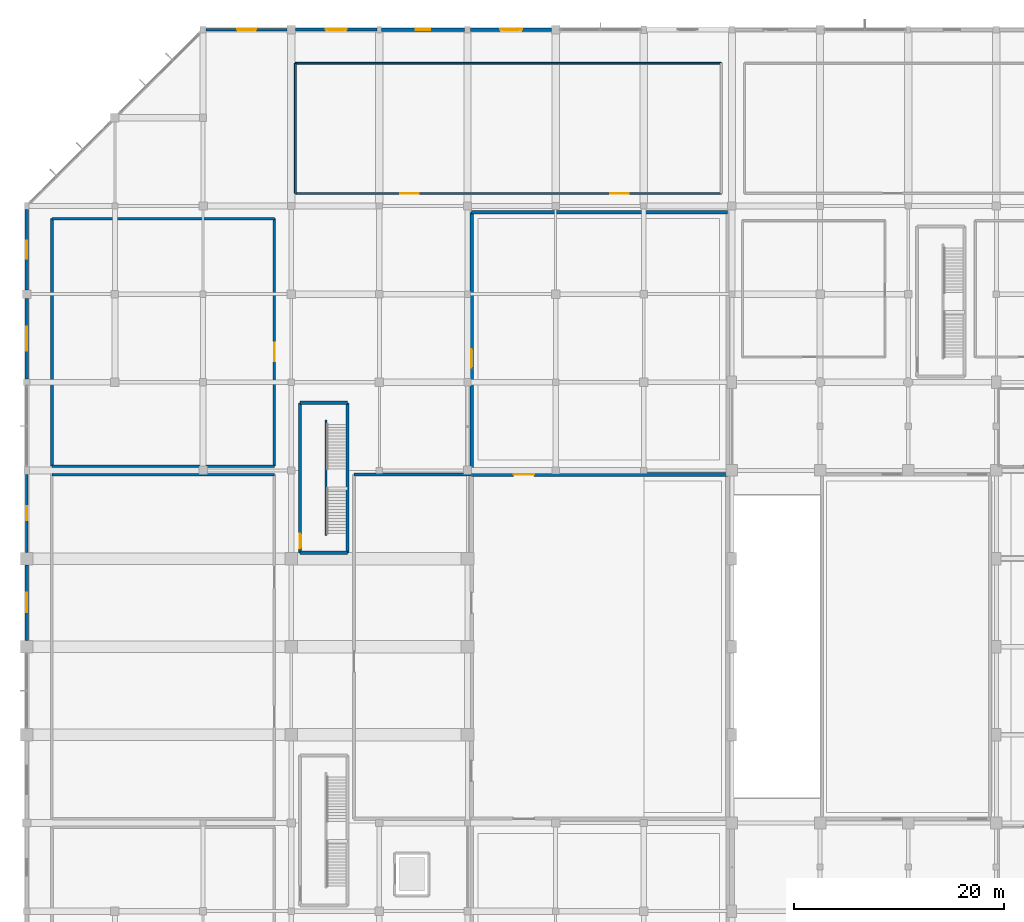
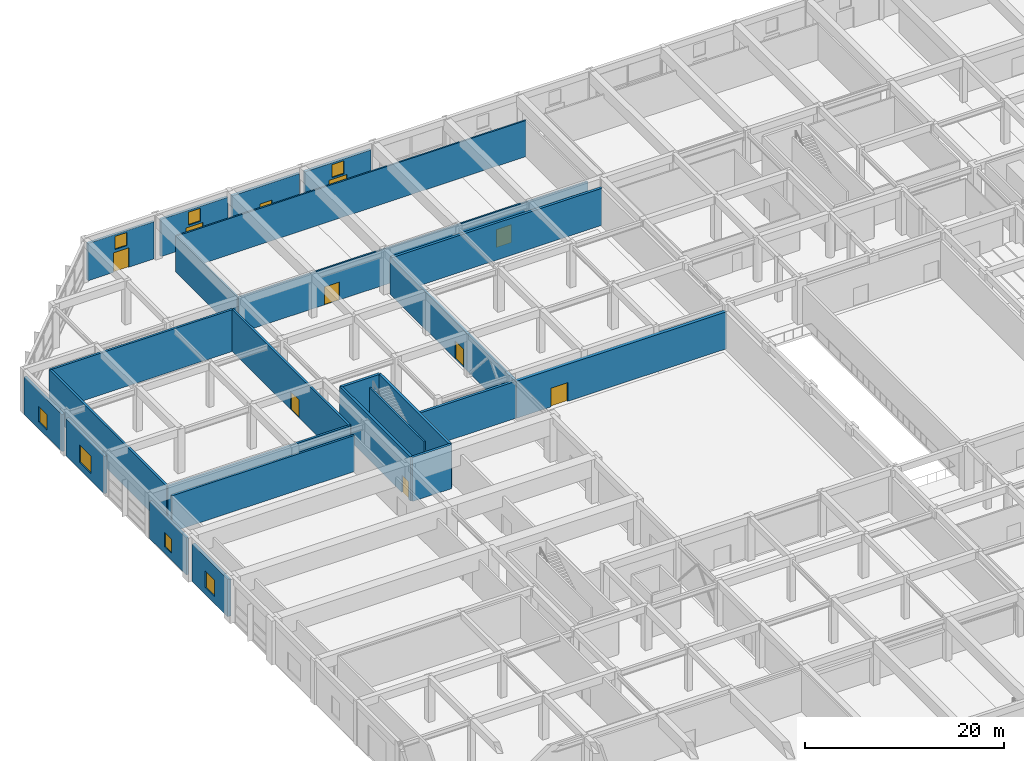
# One storey, part 45 of 62: 25 walls, 9 doors, 8 windows, 17 openings.
"""IFC4 building model written with IfcOpenShell, lengths in metres."""

from ifc_helpers import new_model, si_unit, direction, frame, frame_2d, origin, place, context, subcontext, project, spatial, rectangle, extrude, material, layer, layer_set, type_object, element, fill, save


model = new_model("IFC4")

# Units and contexts
model_context = context("Model", 3, precision=1e-05, world=origin(), true_north=direction((0.0, 1.0)))
body_context = subcontext(model_context, "Body", "Model", "MODEL_VIEW")
ifc_project = project(units=[si_unit("LENGTHUNIT", "METRE"), si_unit("AREAUNIT", "SQUARE_METRE"), si_unit("VOLUMEUNIT", "CUBIC_METRE"), si_unit("PLANEANGLEUNIT", "RADIAN"), si_unit("MASSUNIT", "GRAM", prefix="KILO")], contexts=[model_context])

# Site, building, storey
site_placement = place(None, origin())
site = spatial("IfcSite", under=ifc_project, at=site_placement, CompositionType="ELEMENT")
building_placement = place(site_placement, origin())
building = spatial("IfcBuilding", under=site, at=building_placement, Name="Xuanlan Plaza Opera House", CompositionType="ELEMENT")
storey_placement = place(building_placement, origin())
storey = spatial("IfcBuildingStorey", under=building, at=storey_placement, Name="L00", CompositionType="ELEMENT", Elevation=0.0)

# Wall, opening, window
ifc_material_1 = material(Name="Anodised Aluminium 6063-T6 and Rockwool Cladding", Category="aluminium")
ifc_layer_1 = layer(ifc_material_1, 0.360107421875)
ifc_layer_set_1 = layer_set([ifc_layer_1], Name="Anodised Aluminium 6063-T6 and Rockwool Cladding")
wall_type_1 = type_object("IfcWallType", Name="ENV-WL-EW-01", PredefinedType="STANDARD", material=ifc_layer_set_1)
wall_1_placement = place(storey_placement, frame((0.0, 66.60009765625, 0.0), z_axis=(0.0, 0.0, 1.0), x_axis=(0.0, -1.0, 0.0)))
wall_1 = element("IfcWall", 1, at=wall_1_placement, inside=storey, type_object=wall_type_1, Name="Exterior Wall L00-053", PredefinedType="STANDARD", context=body_context, shape_type="SweptSolid", body=[
    extrude(rectangle(XDim=7.2001953125, YDim=0.360107421875, at=frame_2d((3.60009765625, 0.0))), origin(), (0.0, 0.0, 1.0), 4.580078125),
])
opening_1_placement = place(wall_1_placement, frame((2.675048828125, 0.0, 0.85009765625)))
opening_1 = element("IfcOpeningElement", 2, at=opening_1_placement, cuts=wall_1, Name="Opening WN-17", PredefinedType="OPENING", context=body_context, shape_type="SweptSolid", body=[
    extrude(rectangle(XDim=1.85009765625, YDim=2.050048828125, at=frame_2d((0.925048828125, 1.02490234375))), frame((0.0, 0.18994140625, 0.0), z_axis=(0.0, -1.0, 0.0), x_axis=(1.0, 0.0, 0.0)), (0.0, 0.0, 1.0), 0.380126953125),
])
ifc_material_2 = material(Name="Anodised Aluminium 6063-T6 and Low-E Glass", Category="aluminium")
window_type_1 = type_object("IfcWindowType", Name="ENV-WN-WN-17", PartitioningType="DOUBLE_PANEL_VERTICAL", PredefinedType="WINDOW", material=ifc_material_2)
window_1_placement = place(opening_1_placement, origin())
window_1 = element("IfcWindow", 3, at=window_1_placement, inside=storey, type_object=window_type_1, Name="Facade Window L00-053", OverallHeight=2.050048828125, OverallWidth=1.85009765625, PartitioningType="DOUBLE_PANEL_VERTICAL", PredefinedType="WINDOW", context=body_context, shape_type="SweptSolid", body=[
    extrude(rectangle(XDim=1.85009765625, YDim=2.050048828125, at=frame_2d((0.925048828125, 1.02490234375))), frame((0.0, 0.030029296875, 0.0), z_axis=(0.0, -1.0, 0.0), x_axis=(1.0, 0.0, 0.0)), (0.0, 0.0, 1.0), 0.06005859375),
])
fill(opening_1, window_1)

# Wall, openings, door, window
ifc_layer_2 = layer(ifc_material_1, 0.320068359375)
ifc_layer_set_2 = layer_set([ifc_layer_2], Name="Anodised Aluminium 6063-T6 and Rockwool Cladding")
wall_type_2 = type_object("IfcWallType", Name="ENV-WL-EW-03", PredefinedType="STANDARD", material=ifc_layer_set_2)
wall_2_placement = place(storey_placement, frame((50.0, 117.60009765625, 0.0), z_axis=(0.0, 0.0, 1.0), x_axis=(-1.0, 0.0, 0.0)))
wall_2 = element("IfcWall", 4, at=wall_2_placement, inside=storey, type_object=wall_type_2, Name="Exterior Wall L00-043", PredefinedType="STANDARD", context=body_context, shape_type="SweptSolid", body=[
    extrude(rectangle(XDim=7.699951171875, YDim=0.320068359375, at=frame_2d((3.85009765625, 0.0))), origin(), (0.0, 0.0, 1.0), 4.580078125),
])
opening_2_placement = place(wall_2_placement, frame((2.800048828125, 0.0, 0.0)))
opening_2 = element("IfcOpeningElement", 5, at=opening_2_placement, cuts=wall_2, Name="Opening ED-06", PredefinedType="OPENING", context=body_context, shape_type="SweptSolid", body=[
    extrude(rectangle(XDim=2.10009765625, YDim=2.550048828125, at=frame_2d((1.050048828125, 1.27490234375))), frame((0.0, 0.169921875, 0.0), z_axis=(0.0, -1.0, 0.0), x_axis=(1.0, 0.0, 0.0)), (0.0, 0.0, 1.0), 0.340087890625),
])
opening_3_placement = place(wall_2_placement, frame((3.14990234375, 0.0, 2.75)))
opening_3 = element("IfcOpeningElement", 6, at=opening_3_placement, cuts=wall_2, Name="Opening WN-08", PredefinedType="OPENING", context=body_context, shape_type="SweptSolid", body=[
    extrude(rectangle(XDim=1.39990234375, YDim=1.60009765625, at=frame_2d((0.699951171875, 0.800048828125))), frame((0.0, 0.169921875, 0.0), z_axis=(0.0, -1.0, 0.0), x_axis=(1.0, 0.0, 0.0)), (0.0, 0.0, 1.0), 0.340087890625),
])
ifc_material_3 = material(Name="Anodised Aluminium 6063-T6 and Laminated Safety Glass", Category="aluminium")
door_type_1 = type_object("IfcDoorType", Name="ENV-DR-ED-06", OperationType="DOUBLE_DOOR_SINGLE_SWING", PredefinedType="DOOR", material=ifc_material_3)
door_1_placement = place(opening_2_placement, frame((2.10009765625, 0.0, 0.0), z_axis=(0.0, 0.0, 1.0), x_axis=(-1.0, 0.0, 0.0)))
door_1 = element("IfcDoor", 7, at=door_1_placement, inside=storey, type_object=door_type_1, Name="Plaza Pedestrian Exit Door 23", OperationType="DOUBLE_DOOR_SINGLE_SWING", OverallHeight=2.550048828125, OverallWidth=2.10009765625, PredefinedType="DOOR", context=body_context, shape_type="SweptSolid", body=[
    extrude(rectangle(XDim=2.10009765625, YDim=2.550048828125, at=frame_2d((1.050048828125, 1.27490234375))), frame((0.0, 0.02490234375, 0.0), z_axis=(0.0, -1.0, 0.0), x_axis=(1.0, 0.0, 0.0)), (0.0, 0.0, 1.0), 0.050048828125),
])
fill(opening_2, door_1)
window_type_2 = type_object("IfcWindowType", Name="ENV-WN-WN-08", PartitioningType="SINGLE_PANEL", PredefinedType="WINDOW", material=ifc_material_2)
window_2_placement = place(opening_3_placement, origin())
window_2 = element("IfcWindow", 8, at=window_2_placement, inside=storey, type_object=window_type_2, Name="Entrance Portal Transom Clerestory 23", OverallHeight=1.60009765625, OverallWidth=1.39990234375, PartitioningType="SINGLE_PANEL", PredefinedType="WINDOW", context=body_context, shape_type="SweptSolid", body=[
    extrude(rectangle(XDim=1.39990234375, YDim=1.60009765625, at=frame_2d((0.699951171875, 0.800048828125))), frame((0.0, 0.030029296875, 0.0), z_axis=(0.0, -1.0, 0.0), x_axis=(1.0, 0.0, 0.0)), (0.0, 0.0, 1.0), 0.06005859375),
])
fill(opening_3, window_2)

# Wall, opening, window
wall_3_placement = place(storey_placement, frame((0.0, 100.47509765625, 0.0), z_axis=(0.0, 0.0, 1.0), x_axis=(0.0, -1.0, 0.0)))
wall_3 = element("IfcWall", 9, at=wall_3_placement, inside=storey, type_object=wall_type_2, Name="Exterior Wall L00-049", PredefinedType="STANDARD", context=body_context, shape_type="SweptSolid", body=[
    extrude(rectangle(XDim=7.675048828125, YDim=0.320068359375, at=frame_2d((3.83740234375, 0.0))), origin(), (0.0, 0.0, 1.0), 4.580078125),
])
opening_4_placement = place(wall_3_placement, frame((2.987060546875, 0.0, 0.85009765625)))
opening_4 = element("IfcOpeningElement", 10, at=opening_4_placement, cuts=wall_3, Name="Opening WN-13", PredefinedType="OPENING", context=body_context, shape_type="SweptSolid", body=[
    extrude(rectangle(XDim=1.699951171875, YDim=1.89990234375, at=frame_2d((0.85009765625, 0.949951171875))), frame((0.0, 0.169921875, 0.0), z_axis=(0.0, -1.0, 0.0), x_axis=(1.0, 0.0, 0.0)), (0.0, 0.0, 1.0), 0.340087890625),
])
window_type_3 = type_object("IfcWindowType", Name="ENV-WN-WN-13", PartitioningType="DOUBLE_PANEL_VERTICAL", PredefinedType="WINDOW", material=ifc_material_2)
window_3_placement = place(opening_4_placement, origin())
window_3 = element("IfcWindow", 11, at=window_3_placement, inside=storey, type_object=window_type_3, Name="Facade Window L00-049", OverallHeight=1.89990234375, OverallWidth=1.699951171875, PartitioningType="DOUBLE_PANEL_VERTICAL", PredefinedType="WINDOW", context=body_context, shape_type="SweptSolid", body=[
    extrude(rectangle(XDim=1.699951171875, YDim=1.89990234375, at=frame_2d((0.85009765625, 0.949951171875))), frame((0.0, 0.030029296875, 0.0), z_axis=(0.0, -1.0, 0.0), x_axis=(1.0, 0.0, 0.0)), (0.0, 0.0, 1.0), 0.06005859375),
])
fill(opening_4, window_3)

ifc_layer_3 = layer(ifc_material_1, 0.31005859375)
ifc_layer_set_3 = layer_set([ifc_layer_3], Name="Anodised Aluminium 6063-T6 and Rockwool Cladding")
wall_type_3 = type_object("IfcWallType", Name="ENV-WL-EW-04", PredefinedType="STANDARD", material=ifc_layer_set_3)
wall_4_placement = place(storey_placement, frame((41.699951171875, 117.60009765625, 0.0), z_axis=(0.0, 0.0, 1.0), x_axis=(-1.0, 0.0, 0.0)))
wall_4 = element("IfcWall", 12, at=wall_4_placement, inside=storey, type_object=wall_type_3, Name="Exterior Wall L00-044", PredefinedType="STANDARD", context=body_context, shape_type="SweptSolid", body=[
    extrude(rectangle(XDim=7.875, YDim=0.31005859375, at=frame_2d((3.9375, 0.0))), origin(), (0.0, 0.0, 1.0), 4.580078125),
])
opening_5_placement = place(wall_4_placement, frame((3.237060546875, 0.0, 0.85009765625)))
opening_5 = element("IfcOpeningElement", 13, at=opening_5_placement, cuts=wall_4, Name="Opening WN-08", PredefinedType="OPENING", context=body_context, shape_type="SweptSolid", body=[
    extrude(rectangle(XDim=1.39990234375, YDim=1.60009765625, at=frame_2d((0.699951171875, 0.800048828125))), frame((0.0, 0.1650390625, 0.0), z_axis=(0.0, -1.0, 0.0), x_axis=(1.0, 0.0, 0.0)), (0.0, 0.0, 1.0), 0.330078125),
])
window_4_placement = place(opening_5_placement, origin())
window_4 = element("IfcWindow", 14, at=window_4_placement, inside=storey, type_object=window_type_2, Name="Facade Window L00-044", OverallHeight=1.60009765625, OverallWidth=1.39990234375, PartitioningType="SINGLE_PANEL", PredefinedType="WINDOW", context=body_context, shape_type="SweptSolid", body=[
    extrude(rectangle(XDim=1.39990234375, YDim=1.60009765625, at=frame_2d((0.699951171875, 0.800048828125))), frame((0.0, 0.030029296875, 0.0), z_axis=(0.0, -1.0, 0.0), x_axis=(1.0, 0.0, 0.0)), (0.0, 0.0, 1.0), 0.06005859375),
])
fill(opening_5, window_4)

wall_5_placement = place(storey_placement, frame((0.0, 92.0, 0.0), z_axis=(0.0, 0.0, 1.0), x_axis=(0.0, -1.0, 0.0)))
wall_5 = element("IfcWall", 15, at=wall_5_placement, inside=storey, type_object=wall_type_3, Name="Exterior Wall L00-050", PredefinedType="STANDARD", context=body_context, shape_type="SweptSolid", body=[
    extrude(rectangle(XDim=7.699951171875, YDim=0.31005859375, at=frame_2d((3.85009765625, 0.0))), origin(), (0.0, 0.0, 1.0), 4.580078125),
])
opening_6_placement = place(wall_5_placement, frame((2.699951171875, 0.0, 0.85009765625)))
opening_6 = element("IfcOpeningElement", 16, at=opening_6_placement, cuts=wall_5, Name="Opening WN-14", PredefinedType="OPENING", context=body_context, shape_type="SweptSolid", body=[
    extrude(rectangle(XDim=2.300048828125, YDim=2.14990234375, at=frame_2d((1.14990234375, 1.074951171875))), frame((0.0, 0.1650390625, 0.0), z_axis=(0.0, -1.0, 0.0), x_axis=(1.0, 0.0, 0.0)), (0.0, 0.0, 1.0), 0.330078125),
])
window_type_4 = type_object("IfcWindowType", Name="ENV-WN-WN-14", PartitioningType="DOUBLE_PANEL_VERTICAL", PredefinedType="WINDOW", material=ifc_material_2)
window_5_placement = place(opening_6_placement, origin())
window_5 = element("IfcWindow", 17, at=window_5_placement, inside=storey, type_object=window_type_4, Name="Facade Window L00-050", OverallHeight=2.14990234375, OverallWidth=2.300048828125, PartitioningType="DOUBLE_PANEL_VERTICAL", PredefinedType="WINDOW", context=body_context, shape_type="SweptSolid", body=[
    extrude(rectangle(XDim=2.300048828125, YDim=2.14990234375, at=frame_2d((1.14990234375, 1.074951171875))), frame((0.0, 0.030029296875, 0.0), z_axis=(0.0, -1.0, 0.0), x_axis=(1.0, 0.0, 0.0)), (0.0, 0.0, 1.0), 0.06005859375),
])
fill(opening_6, window_5)

# Wall, openings, door, window
ifc_layer_4 = layer(ifc_material_1, 0.2900390625)
ifc_layer_set_4 = layer_set([ifc_layer_4], Name="Anodised Aluminium 6063-T6 and Rockwool Cladding")
wall_type_4 = type_object("IfcWallType", Name="ENV-WL-EW-05", PredefinedType="STANDARD", material=ifc_layer_set_4)
wall_6_placement = place(storey_placement, frame((33.375, 117.60009765625, 0.0), z_axis=(0.0, 0.0, 1.0), x_axis=(-1.0, 0.0, 0.0)))
wall_6 = element("IfcWall", 18, at=wall_6_placement, inside=storey, type_object=wall_type_4, Name="Exterior Wall L00-045", PredefinedType="STANDARD", context=body_context, shape_type="SweptSolid", body=[
    extrude(rectangle(XDim=7.77490234375, YDim=0.2900390625, at=frame_2d((3.887451171875, 0.0))), origin(), (0.0, 0.0, 1.0), 4.580078125),
])
opening_7_placement = place(wall_6_placement, frame((2.886962890625, 0.0, 0.0)))
opening_7 = element("IfcOpeningElement", 19, at=opening_7_placement, cuts=wall_6, Name="Opening ED-01", PredefinedType="OPENING", context=body_context, shape_type="SweptSolid", body=[
    extrude(rectangle(XDim=2.0, YDim=2.5, at=frame_2d((1.0, 1.25))), frame((0.0, 0.155029296875, 0.0), z_axis=(0.0, -1.0, 0.0), x_axis=(1.0, 0.0, 0.0)), (0.0, 0.0, 1.0), 0.31005859375),
])
opening_8_placement = place(wall_6_placement, frame((3.18701171875, 0.0, 2.75)))
opening_8 = element("IfcOpeningElement", 20, at=opening_8_placement, cuts=wall_6, Name="Opening WN-08", PredefinedType="OPENING", context=body_context, shape_type="SweptSolid", body=[
    extrude(rectangle(XDim=1.39990234375, YDim=1.60009765625, at=frame_2d((0.699951171875, 0.800048828125))), frame((0.0, 0.155029296875, 0.0), z_axis=(0.0, -1.0, 0.0), x_axis=(1.0, 0.0, 0.0)), (0.0, 0.0, 1.0), 0.31005859375),
])
door_type_2 = type_object("IfcDoorType", Name="ENV-DR-ED-01", OperationType="DOUBLE_DOOR_SINGLE_SWING", PredefinedType="DOOR", material=ifc_material_3)
door_2_placement = place(opening_7_placement, frame((2.0, 0.0, 0.0), z_axis=(0.0, 0.0, 1.0), x_axis=(-1.0, 0.0, 0.0)))
door_2 = element("IfcDoor", 21, at=door_2_placement, inside=storey, type_object=door_type_2, Name="Plaza Pedestrian Exit Door 24", OperationType="DOUBLE_DOOR_SINGLE_SWING", OverallHeight=2.5, OverallWidth=2.0, PredefinedType="DOOR", context=body_context, shape_type="SweptSolid", body=[
    extrude(rectangle(XDim=2.0, YDim=2.5, at=frame_2d((1.0, 1.25))), frame((0.0, 0.02490234375, 0.0), z_axis=(0.0, -1.0, 0.0), x_axis=(1.0, 0.0, 0.0)), (0.0, 0.0, 1.0), 0.050048828125),
])
fill(opening_7, door_2)
window_6_placement = place(opening_8_placement, origin())
window_6 = element("IfcWindow", 22, at=window_6_placement, inside=storey, type_object=window_type_2, Name="Entrance Portal Transom Clerestory 24", OverallHeight=1.60009765625, OverallWidth=1.39990234375, PartitioningType="SINGLE_PANEL", PredefinedType="WINDOW", context=body_context, shape_type="SweptSolid", body=[
    extrude(rectangle(XDim=1.39990234375, YDim=1.60009765625, at=frame_2d((0.699951171875, 0.800048828125))), frame((0.0, 0.030029296875, 0.0), z_axis=(0.0, -1.0, 0.0), x_axis=(1.0, 0.0, 0.0)), (0.0, 0.0, 1.0), 0.06005859375),
])
fill(opening_8, window_6)

ifc_layer_5 = layer(ifc_material_1, 0.27001953125)
ifc_layer_set_5 = layer_set([ifc_layer_5], Name="Anodised Aluminium 6063-T6 and Rockwool Cladding")
wall_type_5 = type_object("IfcWallType", Name="ENV-WL-EW-06", PredefinedType="STANDARD", material=ifc_layer_set_5)
wall_7_placement = place(storey_placement, frame((24.800048828125, 117.60009765625, 0.0), z_axis=(0.0, 0.0, 1.0), x_axis=(-1.0, 0.0, 0.0)))
wall_7 = element("IfcWall", 23, at=wall_7_placement, inside=storey, type_object=wall_type_5, Name="Exterior Wall L00-046", PredefinedType="STANDARD", context=body_context, shape_type="SweptSolid", body=[
    extrude(rectangle(XDim=7.699951171875, YDim=0.27001953125, at=frame_2d((3.85009765625, 0.0))), origin(), (0.0, 0.0, 1.0), 4.580078125),
])
opening_9_placement = place(wall_7_placement, frame((2.949951171875, 0.0, 0.0)))
opening_9 = element("IfcOpeningElement", 24, at=opening_9_placement, cuts=wall_7, Name="Opening ED-02", PredefinedType="OPENING", context=body_context, shape_type="SweptSolid", body=[
    extrude(rectangle(XDim=1.800048828125, YDim=2.39990234375, at=frame_2d((0.89990234375, 1.199951171875))), frame((0.0, 0.14501953125, 0.0), z_axis=(0.0, -1.0, 0.0), x_axis=(1.0, 0.0, 0.0)), (0.0, 0.0, 1.0), 0.2900390625),
])
opening_10_placement = place(wall_7_placement, frame((3.14990234375, 0.0, 2.75)))
opening_10 = element("IfcOpeningElement", 25, at=opening_10_placement, cuts=wall_7, Name="Opening WN-08", PredefinedType="OPENING", context=body_context, shape_type="SweptSolid", body=[
    extrude(rectangle(XDim=1.39990234375, YDim=1.60009765625, at=frame_2d((0.699951171875, 0.800048828125))), frame((0.0, 0.14501953125, 0.0), z_axis=(0.0, -1.0, 0.0), x_axis=(1.0, 0.0, 0.0)), (0.0, 0.0, 1.0), 0.2900390625),
])
door_type_3 = type_object("IfcDoorType", Name="ENV-DR-ED-02", OperationType="DOUBLE_DOOR_SINGLE_SWING", PredefinedType="DOOR", material=ifc_material_3)
door_3_placement = place(opening_9_placement, frame((1.800048828125, 0.0, 0.0), z_axis=(0.0, 0.0, 1.0), x_axis=(-1.0, 0.0, 0.0)))
door_3 = element("IfcDoor", 26, at=door_3_placement, inside=storey, type_object=door_type_3, Name="Plaza Pedestrian Exit Door 25", OperationType="DOUBLE_DOOR_SINGLE_SWING", OverallHeight=2.39990234375, OverallWidth=1.800048828125, PredefinedType="DOOR", context=body_context, shape_type="SweptSolid", body=[
    extrude(rectangle(XDim=1.800048828125, YDim=2.39990234375, at=frame_2d((0.89990234375, 1.199951171875))), frame((0.0, 0.02490234375, 0.0), z_axis=(0.0, -1.0, 0.0), x_axis=(1.0, 0.0, 0.0)), (0.0, 0.0, 1.0), 0.050048828125),
])
fill(opening_9, door_3)
window_7_placement = place(opening_10_placement, origin())
window_7 = element("IfcWindow", 27, at=window_7_placement, inside=storey, type_object=window_type_2, Name="Entrance Portal Transom Clerestory 25", OverallHeight=1.60009765625, OverallWidth=1.39990234375, PartitioningType="SINGLE_PANEL", PredefinedType="WINDOW", context=body_context, shape_type="SweptSolid", body=[
    extrude(rectangle(XDim=1.39990234375, YDim=1.60009765625, at=frame_2d((0.699951171875, 0.800048828125))), frame((0.0, 0.030029296875, 0.0), z_axis=(0.0, -1.0, 0.0), x_axis=(1.0, 0.0, 0.0)), (0.0, 0.0, 1.0), 0.06005859375),
])
fill(opening_10, window_7)

# Wall, opening, window
wall_8_placement = place(storey_placement, frame((0.0, 75.22509765625, 0.0), z_axis=(0.0, 0.0, 1.0), x_axis=(0.0, -1.0, 0.0)))
wall_8 = element("IfcWall", 28, at=wall_8_placement, inside=storey, type_object=wall_type_5, Name="Exterior Wall L00-052", PredefinedType="STANDARD", context=body_context, shape_type="SweptSolid", body=[
    extrude(rectangle(XDim=7.425048828125, YDim=0.27001953125, at=frame_2d((3.71240234375, 0.0))), origin(), (0.0, 0.0, 1.0), 4.580078125),
])
opening_11_placement = place(wall_8_placement, frame((3.037109375, 0.0, 0.85009765625)))
opening_11 = element("IfcOpeningElement", 29, at=opening_11_placement, cuts=wall_8, Name="Opening WN-16", PredefinedType="OPENING", context=body_context, shape_type="SweptSolid", body=[
    extrude(rectangle(XDim=1.35009765625, YDim=1.75, at=frame_2d((0.675048828125, 0.875))), frame((0.0, 0.14501953125, 0.0), z_axis=(0.0, -1.0, 0.0), x_axis=(1.0, 0.0, 0.0)), (0.0, 0.0, 1.0), 0.2900390625),
])
window_type_5 = type_object("IfcWindowType", Name="ENV-WN-WN-16", PartitioningType="SINGLE_PANEL", PredefinedType="WINDOW", material=ifc_material_2)
window_8_placement = place(opening_11_placement, origin())
window_8 = element("IfcWindow", 30, at=window_8_placement, inside=storey, type_object=window_type_5, Name="Facade Window L00-052", OverallHeight=1.75, OverallWidth=1.35009765625, PartitioningType="SINGLE_PANEL", PredefinedType="WINDOW", context=body_context, shape_type="SweptSolid", body=[
    extrude(rectangle(XDim=1.35009765625, YDim=1.75, at=frame_2d((0.675048828125, 0.875))), frame((0.0, 0.030029296875, 0.0), z_axis=(0.0, -1.0, 0.0), x_axis=(1.0, 0.0, 0.0)), (0.0, 0.0, 1.0), 0.06005859375),
])
fill(opening_11, window_8)

# Wall
ifc_material_4 = material(Name="Gypsum Board and Galvanised Steel Studs", Category="gypsum")
ifc_layer_6 = layer(ifc_material_4, 0.239990234375)
ifc_layer_set_6 = layer_set([ifc_layer_6], Name="Gypsum Board and Galvanised Steel Studs")
wall_type_6 = type_object("IfcWallType", Name="INT-WL-PW-01", PredefinedType="PARTITIONING", material=ifc_layer_set_6)
wall_9_placement = place(storey_placement, frame((2.39990234375, 75.199951171875, 0.0), z_axis=(0.0, 0.0, 1.0), x_axis=(1.0, 0.0, 0.0)))
element("IfcWall", 31, at=wall_9_placement, inside=storey, type_object=wall_type_6, Name="Scenery Workshop Wall North", PredefinedType="PARTITIONING", context=body_context, shape_type="SweptSolid", body=[
    extrude(rectangle(XDim=21.2001953125, YDim=0.239990234375, at=frame_2d((10.60009765625, 0.0))), origin(), (0.0, 0.0, 1.0), 4.43994140625),
])

# Wall, openings, doors
ifc_layer_7 = layer(ifc_material_4, 0.179931640625)
ifc_layer_set_7 = layer_set([ifc_layer_7], Name="Gypsum Board and Galvanised Steel Studs")
wall_type_7 = type_object("IfcWallType", Name="INT-WL-PW-02", PredefinedType="PARTITIONING", material=ifc_layer_set_7)
wall_10_placement = place(storey_placement, frame((25.60009765625, 102.0, 0.0), z_axis=(0.0, 0.0, 1.0), x_axis=(1.0, 0.0, 0.0)))
wall_10 = element("IfcWall", 32, at=wall_10_placement, inside=storey, type_object=wall_type_7, Name="Heavy Scenery Container Store Wall South", PredefinedType="PARTITIONING", context=body_context, shape_type="SweptSolid", body=[
    extrude(rectangle(XDim=40.599853515625, YDim=0.179931640625, at=frame_2d((20.2998046875, 0.0))), origin(), (0.0, 0.0, 1.0), 4.43994140625),
])
opening_12_placement = place(wall_10_placement, frame((10.0, 0.0, 0.0)))
opening_12 = element("IfcOpeningElement", 33, at=opening_12_placement, cuts=wall_10, Name="Opening FD-03", PredefinedType="OPENING", context=body_context, shape_type="SweptSolid", body=[
    extrude(rectangle(XDim=1.75, YDim=2.199951171875, at=frame_2d((0.875, 1.10009765625))), frame((0.0, 0.099853515625, 0.0), z_axis=(0.0, -1.0, 0.0), x_axis=(1.0, 0.0, 0.0)), (0.0, 0.0, 1.0), 0.199951171875),
])
opening_13_placement = place(wall_10_placement, frame((30.0, 0.0, 0.0)))
opening_13 = element("IfcOpeningElement", 34, at=opening_13_placement, cuts=wall_10, Name="Opening FD-03", PredefinedType="OPENING", context=body_context, shape_type="SweptSolid", body=[
    extrude(rectangle(XDim=1.75, YDim=2.199951171875, at=frame_2d((0.875, 1.10009765625))), frame((0.0, 0.099853515625, 0.0), z_axis=(0.0, -1.0, 0.0), x_axis=(1.0, 0.0, 0.0)), (0.0, 0.0, 1.0), 0.199951171875),
])
ifc_material_5 = material(Name="Galvanised Steel Q235B", Category="steel")
door_type_4 = type_object("IfcDoorType", Name="INT-DR-FD-03", OperationType="DOUBLE_DOOR_SINGLE_SWING", PredefinedType="DOOR", material=ifc_material_5)
door_4_placement = place(opening_12_placement, origin())
door_4 = element("IfcDoor", 35, at=door_4_placement, inside=storey, type_object=door_type_4, Name="Heavy Scenery Container Store Door 1", OperationType="DOUBLE_DOOR_SINGLE_SWING", OverallHeight=2.199951171875, OverallWidth=1.75, PredefinedType="DOOR", context=body_context, shape_type="SweptSolid", body=[
    extrude(rectangle(XDim=1.75, YDim=2.199951171875, at=frame_2d((0.875, 1.10009765625))), frame((0.0, 0.02490234375, 0.0), z_axis=(0.0, -1.0, 0.0), x_axis=(1.0, 0.0, 0.0)), (0.0, 0.0, 1.0), 0.050048828125),
])
fill(opening_12, door_4)
door_5_placement = place(opening_13_placement, origin())
door_5 = element("IfcDoor", 36, at=door_5_placement, inside=storey, type_object=door_type_4, Name="Heavy Scenery Container Store Door 2", OperationType="DOUBLE_DOOR_SINGLE_SWING", OverallHeight=2.199951171875, OverallWidth=1.75, PredefinedType="DOOR", context=body_context, shape_type="SweptSolid", body=[
    extrude(rectangle(XDim=1.75, YDim=2.199951171875, at=frame_2d((0.875, 1.10009765625))), frame((0.0, 0.02490234375, 0.0), z_axis=(0.0, -1.0, 0.0), x_axis=(1.0, 0.0, 0.0)), (0.0, 0.0, 1.0), 0.050048828125),
])
fill(opening_13, door_5)

# Walls
wall_11_placement = place(storey_placement, frame((25.60009765625, 114.39990234375, 0.0), z_axis=(0.0, 0.0, 1.0), x_axis=(1.0, 0.0, 0.0)))
element("IfcWall", 37, at=wall_11_placement, inside=storey, type_object=wall_type_7, Name="Heavy Scenery Container Store Wall North", PredefinedType="PARTITIONING", context=body_context, shape_type="SweptSolid", body=[
    extrude(rectangle(XDim=40.599853515625, YDim=0.179931640625, at=frame_2d((20.2998046875, 0.0))), origin(), (0.0, 0.0, 1.0), 4.43994140625),
])
wall_12_placement = place(storey_placement, frame((25.60009765625, 102.0, 0.0), z_axis=(0.0, 0.0, 1.0), x_axis=(0.0, 1.0, 0.0)))
element("IfcWall", 38, at=wall_12_placement, inside=storey, type_object=wall_type_7, Name="Heavy Scenery Container Store Wall West", PredefinedType="PARTITIONING", context=body_context, shape_type="SweptSolid", body=[
    extrude(rectangle(XDim=12.39990234375, YDim=0.179931640625, at=frame_2d((6.199951171875, 0.0))), origin(), (0.0, 0.0, 1.0), 4.43994140625),
])

# Wall, opening, door
ifc_material_6 = material(Name="Concrete C50", Category="concrete")
ifc_layer_8 = layer(ifc_material_6, 0.3798828125)
ifc_layer_set_8 = layer_set([ifc_layer_8], Name="Concrete C50")
wall_type_8 = type_object("IfcWallType", Name="INT-WL-SW-FW1", PredefinedType="SHEAR", material=ifc_layer_set_8)
wall_13_placement = place(storey_placement, frame((42.39990234375, 75.199951171875, 0.0), z_axis=(0.0, 0.0, 1.0), x_axis=(1.0, 0.0, 0.0)))
wall_13 = element("IfcWall", 39, at=wall_13_placement, inside=storey, type_object=wall_type_8, Name="Main Stage Wall North", PredefinedType="SHEAR", context=body_context, shape_type="SweptSolid", body=[
    extrude(rectangle(XDim=24.400146484375, YDim=0.3798828125, at=frame_2d((12.2001953125, 0.0))), origin(), (0.0, 0.0, 1.0), 4.550048828125),
])
opening_14_placement = place(wall_13_placement, frame((4.0, 0.0, 0.0)))
opening_14 = element("IfcOpeningElement", 40, at=opening_14_placement, cuts=wall_13, Name="Opening FD-04", PredefinedType="OPENING", context=body_context, shape_type="SweptSolid", body=[
    extrude(rectangle(XDim=1.949951171875, YDim=2.300048828125, at=frame_2d((0.97509765625, 1.14990234375))), frame((0.0, 0.199951171875, 0.0), z_axis=(0.0, -1.0, 0.0), x_axis=(1.0, 0.0, 0.0)), (0.0, 0.0, 1.0), 0.39990234375),
])
door_type_5 = type_object("IfcDoorType", Name="INT-DR-FD-04", OperationType="DOUBLE_DOOR_SINGLE_SWING", PredefinedType="DOOR", material=ifc_material_5)
door_6_placement = place(opening_14_placement, origin())
door_6 = element("IfcDoor", 41, at=door_6_placement, inside=storey, type_object=door_type_5, Name="Main Stage Door 1", OperationType="DOUBLE_DOOR_SINGLE_SWING", OverallHeight=2.300048828125, OverallWidth=1.949951171875, PredefinedType="DOOR", context=body_context, shape_type="SweptSolid", body=[
    extrude(rectangle(XDim=1.949951171875, YDim=2.300048828125, at=frame_2d((0.97509765625, 1.14990234375))), frame((0.0, 0.02490234375, 0.0), z_axis=(0.0, -1.0, 0.0), x_axis=(1.0, 0.0, 0.0)), (0.0, 0.0, 1.0), 0.050048828125),
])
fill(opening_14, door_6)

# Walls
ifc_material_7 = material(Name="Concrete C40", Category="concrete")
ifc_layer_9 = layer(ifc_material_7, 0.25)
ifc_layer_set_9 = layer_set([ifc_layer_9], Name="Concrete C40")
wall_type_9 = type_object("IfcWallType", Name="INT-WL-SW-LF1", PredefinedType="SHEAR", material=ifc_layer_set_9)
for number, where, z_axis, x_axis, name in (
    (42, (2.39990234375, 76.0, 0.0), (0.0, 0.0, 1.0), (1.0, 0.0, 0.0), "Scenery Store Wall South"),
    (43, (2.39990234375, 99.60009765625, 0.0), (0.0, 0.0, 1.0), (1.0, 0.0, 0.0), "Scenery Store Wall North"),
):
    element("IfcWall", number, at=place(storey_placement, frame(where, z_axis=z_axis, x_axis=x_axis)), inside=storey, type_object=wall_type_9, Name=name, PredefinedType="SHEAR", context=body_context, shape_type="SweptSolid", body=[
        extrude(rectangle(XDim=21.2001953125, YDim=0.25, at=frame_2d((10.60009765625, 0.0))), origin(), (0.0, 0.0, 1.0), 5.139892578125),
    ])
wall_14_placement = place(storey_placement, frame((2.39990234375, 76.0, 0.0), z_axis=(0.0, 0.0, 1.0), x_axis=(0.0, 1.0, 0.0)))
element("IfcWall", 44, at=wall_14_placement, inside=storey, type_object=wall_type_9, Name="Scenery Store Wall West", PredefinedType="SHEAR", context=body_context, shape_type="SweptSolid", body=[
    extrude(rectangle(XDim=23.60009765625, YDim=0.25, at=frame_2d((11.800048828125, 0.0))), origin(), (0.0, 0.0, 1.0), 5.139892578125),
])

# Wall, opening, door
wall_15_placement = place(storey_placement, frame((23.60009765625, 76.0, 0.0), z_axis=(0.0, 0.0, 1.0), x_axis=(0.0, 1.0, 0.0)))
wall_15 = element("IfcWall", 45, at=wall_15_placement, inside=storey, type_object=wall_type_9, Name="Scenery Store Wall East", PredefinedType="SHEAR", context=body_context, shape_type="SweptSolid", body=[
    extrude(rectangle(XDim=23.60009765625, YDim=0.25, at=frame_2d((11.800048828125, 0.0))), origin(), (0.0, 0.0, 1.0), 5.139892578125),
])
opening_15_placement = place(wall_15_placement, frame((10.0, 0.0, 0.0)))
opening_15 = element("IfcOpeningElement", 46, at=opening_15_placement, cuts=wall_15, Name="Opening FD-03", PredefinedType="OPENING", context=body_context, shape_type="SweptSolid", body=[
    extrude(rectangle(XDim=1.75, YDim=2.199951171875, at=frame_2d((0.875, 1.10009765625))), frame((0.0, 0.135009765625, 0.0), z_axis=(0.0, -1.0, 0.0), x_axis=(1.0, 0.0, 0.0)), (0.0, 0.0, 1.0), 0.27001953125),
])
door_7_placement = place(opening_15_placement, origin())
door_7 = element("IfcDoor", 47, at=door_7_placement, inside=storey, type_object=door_type_4, Name="Scenery Store Door 1", OperationType="DOUBLE_DOOR_SINGLE_SWING", OverallHeight=2.199951171875, OverallWidth=1.75, PredefinedType="DOOR", context=body_context, shape_type="SweptSolid", body=[
    extrude(rectangle(XDim=1.75, YDim=2.199951171875, at=frame_2d((0.875, 1.10009765625))), frame((0.0, 0.02490234375, 0.0), z_axis=(0.0, -1.0, 0.0), x_axis=(1.0, 0.0, 0.0)), (0.0, 0.0, 1.0), 0.050048828125),
])
fill(opening_15, door_7)

# Walls
ifc_layer_10 = layer(ifc_material_7, 0.199951171875)
ifc_layer_set_10 = layer_set([ifc_layer_10], Name="Concrete C40")
wall_type_10 = type_object("IfcWallType", Name="INT-WL-SW-SPN", PredefinedType="SHEAR", material=ifc_layer_set_10)
wall_16_placement = place(storey_placement, frame((28.5, 69.39990234375, 0.0), z_axis=(0.0, 0.0, 1.0), x_axis=(0.0, 1.0, 0.0)))
element("IfcWall", 48, at=wall_16_placement, inside=storey, type_object=wall_type_10, Name="Stair Structural Spine Wall ST-P2 L00", PredefinedType="SHEAR", context=body_context, shape_type="SweptSolid", body=[
    extrude(rectangle(XDim=11.0, YDim=0.199951171875, at=frame_2d((5.5, 0.0))), origin(), (0.0, 0.0, 1.0), 5.39990234375),
])
ifc_layer_11 = layer(ifc_material_7, 0.300048828125)
ifc_layer_set_11 = layer_set([ifc_layer_11], Name="Concrete C40")
wall_type_11 = type_object("IfcWallType", Name="INT-WL-SW-ST1", PredefinedType="SHEAR", material=ifc_layer_set_11)
for number, where, z_axis, x_axis, name in (
    (49, (26.050048828125, 67.75, 0.0), (0.0, 0.0, 1.0), (1.0, 0.0, 0.0), "Stair Core Wall ST-P2 L00 South"),
    (50, (26.050048828125, 82.050048828125, 0.0), (0.0, 0.0, 1.0), (1.0, 0.0, 0.0), "Stair Core Wall ST-P2 L00 North"),
):
    element("IfcWall", number, at=place(storey_placement, frame(where, z_axis=z_axis, x_axis=x_axis)), inside=storey, type_object=wall_type_11, Name=name, PredefinedType="SHEAR", context=body_context, shape_type="SweptSolid", body=[
        extrude(rectangle(XDim=4.5, YDim=0.300048828125, at=frame_2d((2.25, 0.0))), origin(), (0.0, 0.0, 1.0), 5.39990234375),
    ])

# Wall, opening, door
wall_17_placement = place(storey_placement, frame((26.050048828125, 67.75, 0.0), z_axis=(0.0, 0.0, 1.0), x_axis=(0.0, 1.0, 0.0)))
wall_17 = element("IfcWall", 51, at=wall_17_placement, inside=storey, type_object=wall_type_11, Name="Stair Core Wall ST-P2 L00 West", PredefinedType="SHEAR", context=body_context, shape_type="SweptSolid", body=[
    extrude(rectangle(XDim=14.300048828125, YDim=0.300048828125, at=frame_2d((7.14990234375, 0.0))), origin(), (0.0, 0.0, 1.0), 5.39990234375),
])
opening_16_placement = place(wall_17_placement, frame((0.449951171875, 0.0, 0.0)))
opening_16 = element("IfcOpeningElement", 52, at=opening_16_placement, cuts=wall_17, Name="Opening FD-ST2", PredefinedType="OPENING", context=body_context, shape_type="SweptSolid", body=[
    extrude(rectangle(XDim=1.35009765625, YDim=2.14990234375, at=frame_2d((0.675048828125, 1.074951171875))), frame((0.0, 0.159912109375, 0.0), z_axis=(0.0, -1.0, 0.0), x_axis=(1.0, 0.0, 0.0)), (0.0, 0.0, 1.0), 0.320068359375),
])
door_type_6 = type_object("IfcDoorType", Name="INT-DR-FD-ST2", OperationType="NOTDEFINED", PredefinedType="DOOR", material=ifc_material_5)
door_8_placement = place(opening_16_placement, origin())
door_8 = element("IfcDoor", 53, at=door_8_placement, inside=storey, type_object=door_type_6, Name="Stair Enclosure Fire Door ST-P2 L00", OperationType="SINGLE_SWING_RIGHT", OverallHeight=2.14990234375, OverallWidth=1.35009765625, PredefinedType="DOOR", context=body_context, shape_type="SweptSolid", body=[
    extrude(rectangle(XDim=1.35009765625, YDim=2.14990234375, at=frame_2d((0.675048828125, 1.074951171875))), frame((0.0, 0.02490234375, 0.0), z_axis=(0.0, -1.0, 0.0), x_axis=(1.0, 0.0, 0.0)), (0.0, 0.0, 1.0), 0.050048828125),
])
fill(opening_16, door_8)

# Walls
wall_18_placement = place(storey_placement, frame((30.550048828125, 67.75, 0.0), z_axis=(0.0, 0.0, 1.0), x_axis=(0.0, 1.0, 0.0)))
element("IfcWall", 54, at=wall_18_placement, inside=storey, type_object=wall_type_11, Name="Stair Core Wall ST-P2 L00 East", PredefinedType="SHEAR", context=body_context, shape_type="SweptSolid", body=[
    extrude(rectangle(XDim=14.300048828125, YDim=0.300048828125, at=frame_2d((7.14990234375, 0.0))), origin(), (0.0, 0.0, 1.0), 5.39990234375),
])
wall_19_placement = place(storey_placement, frame((42.39990234375, 100.199951171875, 0.0), z_axis=(0.0, 0.0, 1.0), x_axis=(1.0, 0.0, 0.0)))
element("IfcWall", 55, at=wall_19_placement, inside=storey, type_object=wall_type_11, Name="Side Stage North Wall North", PredefinedType="SHEAR", context=body_context, shape_type="SweptSolid", body=[
    extrude(rectangle(XDim=24.400146484375, YDim=0.300048828125, at=frame_2d((12.2001953125, 0.0))), origin(), (0.0, 0.0, 1.0), 4.550048828125),
])

# Wall, opening, door
wall_20_placement = place(storey_placement, frame((42.39990234375, 75.39990234375, 0.0), z_axis=(0.0, 0.0, 1.0), x_axis=(0.0, 1.0, 0.0)))
wall_20 = element("IfcWall", 56, at=wall_20_placement, inside=storey, type_object=wall_type_11, Name="Side Stage North Wall West", PredefinedType="SHEAR", context=body_context, shape_type="SweptSolid", body=[
    extrude(rectangle(XDim=24.800048828125, YDim=0.300048828125, at=frame_2d((12.39990234375, 0.0))), origin(), (0.0, 0.0, 1.0), 4.550048828125),
])
opening_17_placement = place(wall_20_placement, frame((10.0, 0.0, 0.0)))
opening_17 = element("IfcOpeningElement", 57, at=opening_17_placement, cuts=wall_20, Name="Opening FD-03", PredefinedType="OPENING", context=body_context, shape_type="SweptSolid", body=[
    extrude(rectangle(XDim=1.75, YDim=2.199951171875, at=frame_2d((0.875, 1.10009765625))), frame((0.0, 0.159912109375, 0.0), z_axis=(0.0, -1.0, 0.0), x_axis=(1.0, 0.0, 0.0)), (0.0, 0.0, 1.0), 0.320068359375),
])
door_9_placement = place(opening_17_placement, origin())
door_9 = element("IfcDoor", 58, at=door_9_placement, inside=storey, type_object=door_type_4, Name="Side Stage North Door 1", OperationType="DOUBLE_DOOR_SINGLE_SWING", OverallHeight=2.199951171875, OverallWidth=1.75, PredefinedType="DOOR", context=body_context, shape_type="SweptSolid", body=[
    extrude(rectangle(XDim=1.75, YDim=2.199951171875, at=frame_2d((0.875, 1.10009765625))), frame((0.0, 0.02490234375, 0.0), z_axis=(0.0, -1.0, 0.0), x_axis=(1.0, 0.0, 0.0)), (0.0, 0.0, 1.0), 0.050048828125),
])
fill(opening_17, door_9)

# Wall
wall_21_placement = place(storey_placement, frame((31.199951171875, 75.199951171875, 0.0), z_axis=(0.0, 0.0, 1.0), x_axis=(1.0, 0.0, 0.0)))
element("IfcWall", 59, at=wall_21_placement, inside=storey, type_object=wall_type_11, Name="Rear Stage Wall North", PredefinedType="SHEAR", context=body_context, shape_type="SweptSolid", body=[
    extrude(rectangle(XDim=11.1201171875, YDim=0.300048828125, at=frame_2d((5.56005859375, 0.0))), origin(), (0.0, 0.0, 1.0), 4.550048828125),
])

save(model, "model.ifc")
